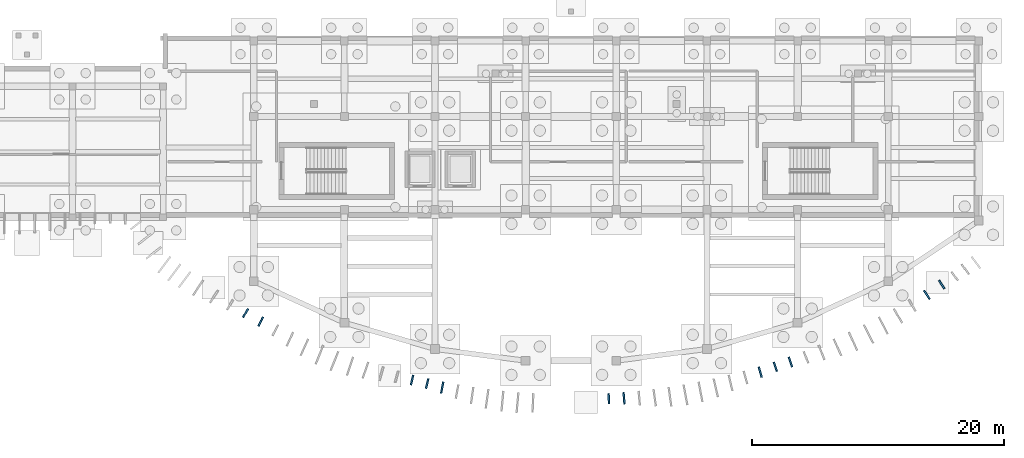
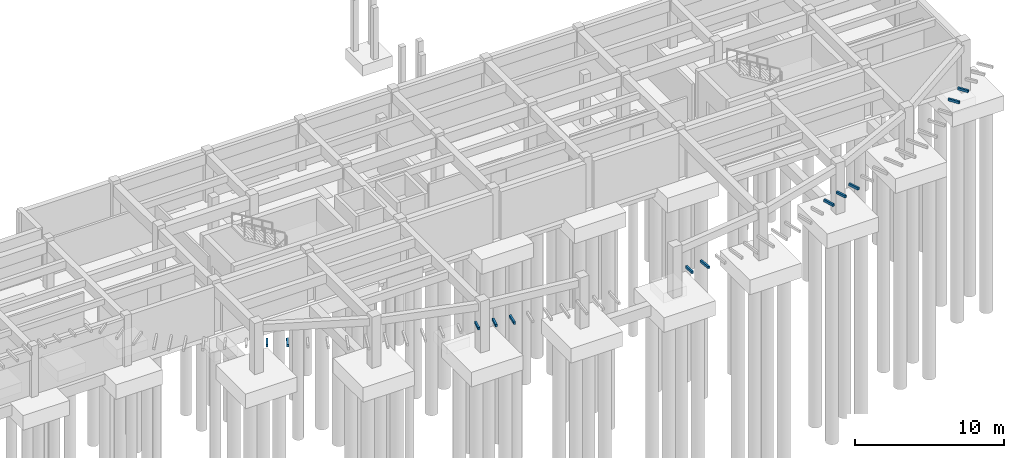
# One storey, part 24 of 31: 12 discrete accessories.
"""IFC4 building model written with IfcOpenShell, lengths in metres."""

from ifc_helpers import new_model, si_unit, direction, frame, origin, origin_2d, place, context, subcontext, project, spatial, rectangle, extrude, material, type_object, element, save


model = new_model("IFC4")

# Units and contexts
model_context = context("Model", 3, precision=1e-05, world=origin(), true_north=direction((0.0, 1.0)))
body_context = subcontext(model_context, "Body", "Model", "MODEL_VIEW")
ifc_project = project(units=[si_unit("LENGTHUNIT", "METRE"), si_unit("AREAUNIT", "SQUARE_METRE"), si_unit("VOLUMEUNIT", "CUBIC_METRE"), si_unit("PLANEANGLEUNIT", "RADIAN"), si_unit("MASSUNIT", "GRAM", prefix="KILO")], contexts=[model_context])

# Site, building, storey
site_placement = place(None, origin())
site = spatial("IfcSite", under=ifc_project, at=site_placement, CompositionType="ELEMENT")
building_placement = place(site_placement, origin())
building = spatial("IfcBuilding", under=site, at=building_placement, Name="Brisavento Harbour Community Centre", CompositionType="ELEMENT")
storey_placement = place(building_placement, frame((0.0, 0.0, -4.199951171875)))
storey = spatial("IfcBuildingStorey", under=building, at=storey_placement, Name="B1", CompositionType="ELEMENT", Elevation=-4.199951171875)

# Discrete accessories
ifc_material = material(Name="Stainless steel 1.4401", Category="steel")
discrete_accessory_type = type_object("IfcDiscreteAccessoryType", Name="BRK-FIN-SS", PredefinedType="BRACKET", material=ifc_material)
discrete_accessory_1_placement = place(storey_placement, frame((114.552001953125, 6.786376953125, 3.97998046875), z_axis=(0.0, 0.0, 1.0), x_axis=(-0.507869167385, -0.861434216188, 0.0)))
element("IfcDiscreteAccessory", 1, at=discrete_accessory_1_placement, inside=storey, type_object=discrete_accessory_type, Name="Stainless-steel storm-fin bracket 099.1", PredefinedType="BRACKET", context=body_context, shape_type="SweptSolid", body=[
    extrude(rectangle(XDim=0.7890625, YDim=0.139892578125, at=origin_2d()), origin(), (0.0, 0.0, 1.0), 0.199951171875),
])
discrete_accessory_2_placement = place(storey_placement, frame((115.7509765625, 6.107666015625, 3.97998046875), z_axis=(0.0, 0.0, 1.0), x_axis=(-0.461702168823, -0.887035009063, 0.0)))
element("IfcDiscreteAccessory", 2, at=discrete_accessory_2_placement, inside=storey, type_object=discrete_accessory_type, Name="Stainless-steel storm-fin bracket 100.1", PredefinedType="BRACKET", context=body_context, shape_type="SweptSolid", body=[
    extrude(rectangle(XDim=0.812255859375, YDim=0.139892578125, at=origin_2d()), origin(), (0.0, 0.0, 1.0), 0.199951171875),
])
discrete_accessory_3_placement = place(storey_placement, frame((127.777587890625, 1.46630859375, 3.97998046875), z_axis=(0.0, 0.0, 1.0), x_axis=(-0.230830981037, -0.972993863389, 0.0)))
element("IfcDiscreteAccessory", 3, at=discrete_accessory_3_placement, inside=storey, type_object=discrete_accessory_type, Name="Stainless-steel storm-fin bracket 110.1", PredefinedType="BRACKET", context=body_context, shape_type="SweptSolid", body=[
    extrude(rectangle(XDim=0.79443359375, YDim=0.139892578125, at=origin_2d()), origin(), (0.0, 0.0, 1.0), 0.199951171875),
])
discrete_accessory_4_placement = place(storey_placement, frame((128.977294921875, 1.180908203125, 3.97998046875), z_axis=(0.0, 0.0, 1.0), x_axis=(-0.230830981037, -0.972993863389, 0.0)))
element("IfcDiscreteAccessory", 4, at=discrete_accessory_4_placement, inside=storey, type_object=discrete_accessory_type, Name="Stainless-steel storm-fin bracket 111.1", PredefinedType="BRACKET", context=body_context, shape_type="SweptSolid", body=[
    extrude(rectangle(XDim=0.796142578125, YDim=0.139892578125, at=origin_2d()), origin(), (0.0, 0.0, 1.0), 0.199951171875),
])
discrete_accessory_5_placement = place(storey_placement, frame((130.171142578125, 0.86767578125, 3.97998046875), z_axis=(0.0, 0.0, 1.0), x_axis=(-0.184671830369, -0.982800241691, 0.0)))
element("IfcDiscreteAccessory", 5, at=discrete_accessory_5_placement, inside=storey, type_object=discrete_accessory_type, Name="Stainless-steel storm-fin bracket 112.1", PredefinedType="BRACKET", context=body_context, shape_type="SweptSolid", body=[
    extrude(rectangle(XDim=0.91259765625, YDim=0.139892578125, at=origin_2d()), origin(), (0.0, 0.0, 1.0), 0.199951171875),
])
discrete_accessory_6_placement = place(storey_placement, frame((143.40478515625, -0.00341796875, 3.97998046875), z_axis=(0.0, 0.0, 1.0), x_axis=(0.0461649984, -0.9989338281, 0.0)))
element("IfcDiscreteAccessory", 6, at=discrete_accessory_6_placement, inside=storey, type_object=discrete_accessory_type, Name="Stainless-steel storm-fin bracket 119.1", PredefinedType="BRACKET", context=body_context, shape_type="SweptSolid", body=[
    extrude(rectangle(XDim=0.80126953125, YDim=0.139892578125, at=origin_2d()), origin(), (0.0, 0.0, 1.0), 0.199951171875),
])
discrete_accessory_7_placement = place(storey_placement, frame((144.614990234375, 0.019775390625, 3.97998046875), z_axis=(0.0, 0.0, 1.0), x_axis=(0.092335830041, -0.99572792192, 0.0)))
element("IfcDiscreteAccessory", 7, at=discrete_accessory_7_placement, inside=storey, type_object=discrete_accessory_type, Name="Stainless-steel storm-fin bracket 120.1", PredefinedType="BRACKET", context=body_context, shape_type="SweptSolid", body=[
    extrude(rectangle(XDim=0.92236328125, YDim=0.139892578125, at=origin_2d()), origin(), (0.0, 0.0, 1.0), 0.199951171875),
])
discrete_accessory_8_placement = place(storey_placement, frame((155.436279296875, 2.095947265625, 3.97998046875), z_axis=(0.0, 0.0, 1.0), x_axis=(0.276996031628, -0.96087106235, 0.0)))
element("IfcDiscreteAccessory", 8, at=discrete_accessory_8_placement, inside=storey, type_object=discrete_accessory_type, Name="Stainless-steel storm-fin bracket 129.1", PredefinedType="BRACKET", context=body_context, shape_type="SweptSolid", body=[
    extrude(rectangle(XDim=0.86279296875, YDim=0.139892578125, at=origin_2d()), origin(), (0.0, 0.0, 1.0), 0.199951171875),
])
discrete_accessory_9_placement = place(storey_placement, frame((156.62939453125, 2.51416015625, 3.97998046875), z_axis=(0.0, 0.0, 1.0), x_axis=(0.323174264667, -0.94633947115, 0.0)))
element("IfcDiscreteAccessory", 9, at=discrete_accessory_9_placement, inside=storey, type_object=discrete_accessory_type, Name="Stainless-steel storm-fin bracket 130.1", PredefinedType="BRACKET", context=body_context, shape_type="SweptSolid", body=[
    extrude(rectangle(XDim=0.781494140625, YDim=0.139892578125, at=origin_2d()), origin(), (0.0, 0.0, 1.0), 0.199951171875),
])
discrete_accessory_10_placement = place(storey_placement, frame((157.83642578125, 2.903076171875, 3.97998046875), z_axis=(0.0, 0.0, 1.0), x_axis=(0.323174264667, -0.94633947115, 0.0)))
element("IfcDiscreteAccessory", 10, at=discrete_accessory_10_placement, inside=storey, type_object=discrete_accessory_type, Name="Stainless-steel storm-fin bracket 131.1", PredefinedType="BRACKET", context=body_context, shape_type="SweptSolid", body=[
    extrude(rectangle(XDim=0.82568359375, YDim=0.139892578125, at=origin_2d()), origin(), (0.0, 0.0, 1.0), 0.199951171875),
])
discrete_accessory_11_placement = place(storey_placement, frame((168.667236328125, 8.2275390625, 3.97998046875), z_axis=(0.0, 0.0, 1.0), x_axis=(0.554060082852, -0.832476681109, 0.0)))
element("IfcDiscreteAccessory", 11, at=discrete_accessory_11_placement, inside=storey, type_object=discrete_accessory_type, Name="Stainless-steel storm-fin bracket 140.1", PredefinedType="BRACKET", context=body_context, shape_type="SweptSolid", body=[
    extrude(rectangle(XDim=0.842529296875, YDim=0.139892578125, at=origin_2d()), origin(), (0.0, 0.0, 1.0), 0.199951171875),
])
discrete_accessory_12_placement = place(storey_placement, frame((169.850341796875, 9.0517578125, 3.97998046875), z_axis=(0.0, 0.0, 1.0), x_axis=(0.554060082852, -0.832476681109, 0.0)))
element("IfcDiscreteAccessory", 12, at=discrete_accessory_12_placement, inside=storey, type_object=discrete_accessory_type, Name="Stainless-steel storm-fin bracket 141.1", PredefinedType="BRACKET", context=body_context, shape_type="SweptSolid", body=[
    extrude(rectangle(XDim=0.78125, YDim=0.139892578125, at=origin_2d()), origin(), (0.0, 0.0, 1.0), 0.199951171875),
])

save(model, "model.ifc")
